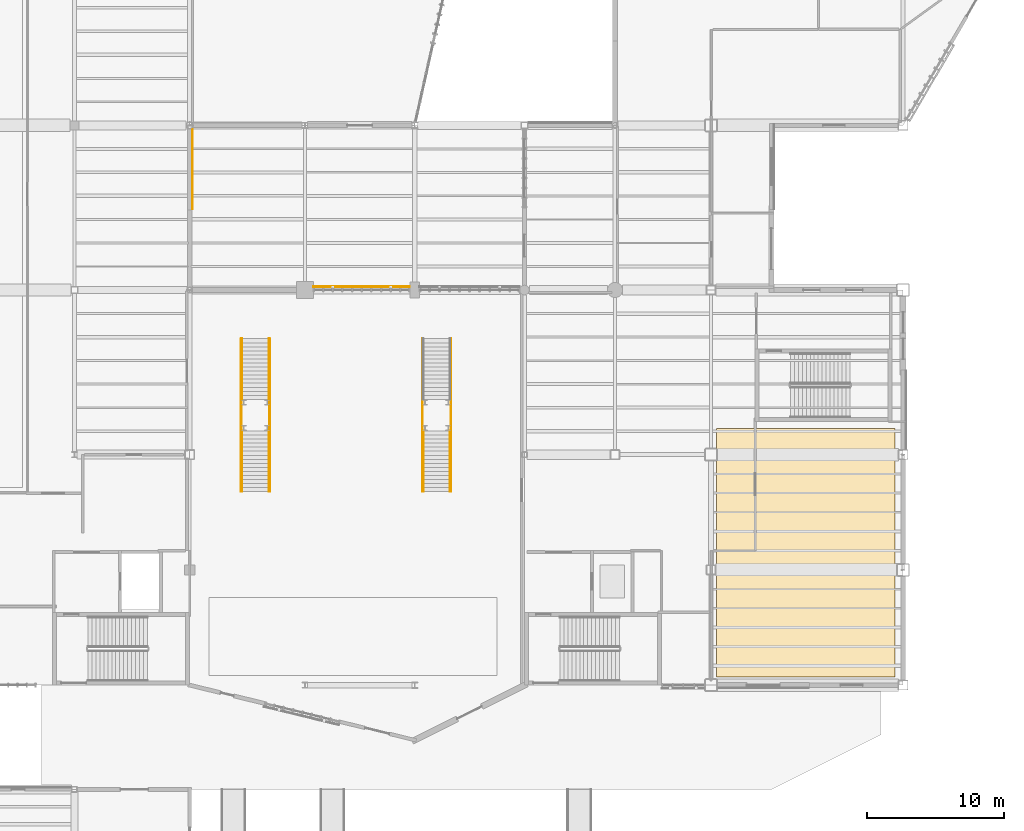
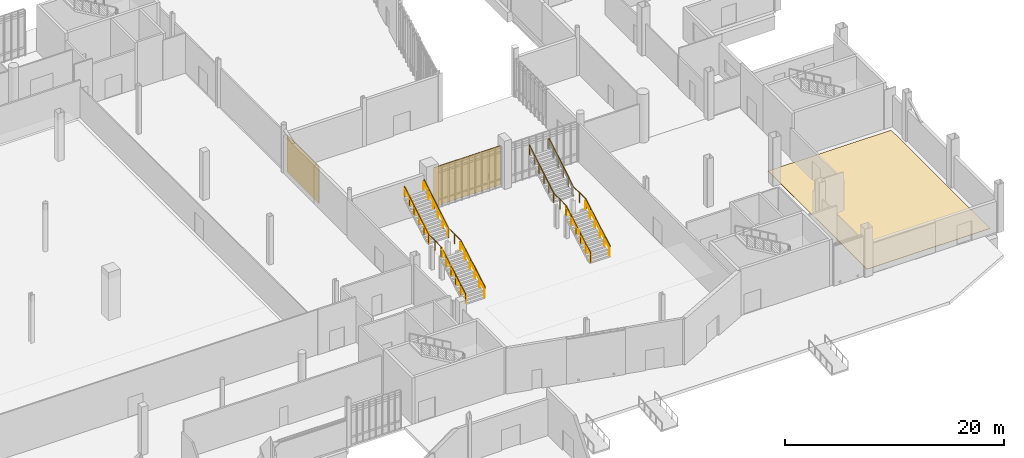
# One storey, part 103 of 111: 10 railings, 2 coverings, 1 shading device.
"""IFC4 building model written with IfcOpenShell, lengths in metres."""

from ifc_helpers import new_model, si_unit, direction, frame, origin, origin_2d, place, context, subcontext, project, spatial, polyline, rectangle, circle, outline, extrude, material, layer, layer_set, type_object, element, save


model = new_model("IFC4")

# Units and contexts
model_context = context("Model", 3, precision=1e-05, world=origin(), true_north=direction((0.0, 1.0)))
body_context = subcontext(model_context, "Body", "Model", "MODEL_VIEW")
ifc_project = project(units=[si_unit("LENGTHUNIT", "METRE"), si_unit("AREAUNIT", "SQUARE_METRE"), si_unit("VOLUMEUNIT", "CUBIC_METRE"), si_unit("PLANEANGLEUNIT", "RADIAN"), si_unit("MASSUNIT", "GRAM", prefix="KILO")], contexts=[model_context])

# Site, building, storey
site_placement = place(None, origin())
site = spatial("IfcSite", under=ifc_project, at=site_placement, CompositionType="ELEMENT")
building_placement = place(site_placement, origin())
building = spatial("IfcBuilding", under=site, at=building_placement, Name="Larkvane Passage Sports Hall", CompositionType="ELEMENT")
storey_placement = place(building_placement, origin())
storey = spatial("IfcBuildingStorey", under=building, at=storey_placement, Name="L00", CompositionType="ELEMENT", Elevation=0.0)

# Coverings
ifc_material_1 = material(Name="Sprung maple sports floor")
ifc_layer_1 = layer(ifc_material_1, 0.0400390625)
ifc_layer_set_1 = layer_set([ifc_layer_1], Name="Sprung maple sports floor")
covering_type_1 = type_object("IfcCoveringType", Name="COV-FLR-MAPLE", PredefinedType="FLOORING", material=ifc_layer_set_1)
covering_1_placement = place(storey_placement, origin())
element("IfcCovering", 1, at=covering_1_placement, inside=storey, type_object=covering_type_1, Name="Southeast community practice court floor", PredefinedType="FLOORING", context=body_context, shape_type="SweptSolid", body=[
    extrude(outline(polyline([(132.0, 23.39990234375), (145.0, 23.39990234375), (145.0, 41.5), (132.0, 41.5), (132.0, 23.39990234375)])), origin(), (0.0, 0.0, 1.0), 0.0400390625),
])
ifc_material_2 = material(Name="Perforated anodised aluminium 5052-H32", Category="aluminium")
ifc_layer_2 = layer(ifc_material_2, 0.050048828125)
ifc_layer_set_2 = layer_set([ifc_layer_2], Name="Perforated anodised aluminium 5052-H32")
covering_type_2 = type_object("IfcCoveringType", Name="COV-MESH-VEIL", PredefinedType="CLADDING", material=ifc_layer_set_2)
covering_2_placement = place(storey_placement, frame((93.797607421875, 60.39208984375, 0.074951171875), z_axis=(0.0, 0.0, 1.0), x_axis=(0.0, -1.0, 0.0)))
element("IfcCovering", 2, at=covering_2_placement, inside=storey, type_object=covering_type_2, Name="Perforated cladding cassette L00-028", PredefinedType="CLADDING", context=body_context, shape_type="SweptSolid", body=[
    extrude(rectangle(XDim=5.815673828125, YDim=0.050048828125, at=origin_2d()), origin(), (0.0, 0.0, 1.0), 4.1259765625),
])

# Railings
ifc_material_3 = material(Name="Steel S355JR", Category="steel")
railing_type_1 = type_object("IfcRailingType", Name="RL-GUARD-1120", PredefinedType="GUARDRAIL", material=ifc_material_3)
railing_1_placement = place(storey_placement, frame((97.360107421875, 36.89990234375, 0.168701171875)))
element("IfcRailing", 3, at=railing_1_placement, inside=storey, type_object=railing_type_1, Name="Feature stair balustrade ST-F1-W", PredefinedType="GUARDRAIL", context=body_context, shape_type="SweptSolid", body=[
    extrude(circle(Radius=0.02392578125, at=origin_2d()), frame((0.0, 0.001708984375, 1.09716796875), z_axis=(0.0, 0.868019072493, 0.49653085482), x_axis=(-1.0, 0.0, 0.0)), (0.0, 0.0, 1.0), 5.09375),
    extrude(circle(Radius=0.02392578125, at=origin_2d()), frame((0.0, 4.427001953125, 3.62744140625), z_axis=(0.0, 1.0, 0.0), x_axis=(-1.0, 0.0, 0.0)), (0.0, 0.0, 1.0), 2.296142578125),
    extrude(circle(Radius=0.02392578125, at=origin_2d()), frame((0.0, 6.726806640625, 3.62841796875), z_axis=(0.0, 0.853646024003, 0.520853593349), x_axis=(-1.0, 0.0, 0.0)), (0.0, 0.0, 1.0), 5.1796875),
    extrude(circle(Radius=0.02099609375, at=origin_2d()), origin(), (0.0, 0.0, 1.0), 1.072021484375),
    extrude(circle(Radius=0.02099609375, at=origin_2d()), frame((0.0, 0.885009765625, 0.50634765625)), (0.0, 0.0, 1.0), 1.072021484375),
    extrude(circle(Radius=0.02099609375, at=origin_2d()), frame((0.0, 1.77001953125, 1.012451171875)), (0.0, 0.0, 1.0), 1.072021484375),
    extrude(circle(Radius=0.02099609375, at=origin_2d()), frame((0.0, 2.655029296875, 1.518798828125)), (0.0, 0.0, 1.0), 1.072021484375),
    extrude(circle(Radius=0.02099609375, at=origin_2d()), frame((0.0, 3.5400390625, 2.02490234375)), (0.0, 0.0, 1.0), 1.072021484375),
    extrude(circle(Radius=0.02099609375, at=origin_2d()), frame((0.0, 4.425048828125, 2.53125)), (0.0, 0.0, 1.0), 1.072021484375),
    extrude(circle(Radius=0.02099609375, at=origin_2d()), frame((0.0, 5.5751953125, 2.53125)), (0.0, 0.0, 1.0), 1.072021484375),
    extrude(circle(Radius=0.02099609375, at=origin_2d()), frame((0.0, 6.72509765625, 2.53125)), (0.0, 0.0, 1.0), 1.072021484375),
    extrude(circle(Radius=0.02099609375, at=origin_2d()), frame((0.0, 7.610107421875, 3.0712890625)), (0.0, 0.0, 1.0), 1.072021484375),
    extrude(circle(Radius=0.02099609375, at=origin_2d()), frame((0.0, 8.4951171875, 3.611328125)), (0.0, 0.0, 1.0), 1.072021484375),
    extrude(circle(Radius=0.02099609375, at=origin_2d()), frame((0.0, 9.380126953125, 4.151123046875)), (0.0, 0.0, 1.0), 1.072021484375),
    extrude(circle(Radius=0.02099609375, at=origin_2d()), frame((0.0, 10.26513671875, 4.691162109375)), (0.0, 0.0, 1.0), 1.072021484375),
    extrude(circle(Radius=0.02099609375, at=origin_2d()), frame((0.0, 11.150146484375, 5.231201171875)), (0.0, 0.0, 1.0), 1.072021484375),
])
railing_2_placement = place(storey_placement, frame((99.43994140625, 36.89990234375, 0.168701171875)))
element("IfcRailing", 4, at=railing_2_placement, inside=storey, type_object=railing_type_1, Name="Feature stair balustrade ST-F1-E", PredefinedType="GUARDRAIL", context=body_context, shape_type="SweptSolid", body=[
    extrude(circle(Radius=0.02392578125, at=origin_2d()), frame((0.0, 0.001708984375, 1.09716796875), z_axis=(0.0, 0.868019072493, 0.49653085482), x_axis=(-1.0, 0.0, 0.0)), (0.0, 0.0, 1.0), 5.09375),
    extrude(circle(Radius=0.02392578125, at=origin_2d()), frame((0.0, 4.427001953125, 3.62744140625), z_axis=(0.0, 1.0, 0.0), x_axis=(-1.0, 0.0, 0.0)), (0.0, 0.0, 1.0), 2.296142578125),
    extrude(circle(Radius=0.02392578125, at=origin_2d()), frame((0.0, 6.726806640625, 3.62841796875), z_axis=(0.0, 0.853646024003, 0.520853593349), x_axis=(-1.0, 0.0, 0.0)), (0.0, 0.0, 1.0), 5.1796875),
    extrude(circle(Radius=0.02099609375, at=origin_2d()), origin(), (0.0, 0.0, 1.0), 1.072021484375),
    extrude(circle(Radius=0.02099609375, at=origin_2d()), frame((0.0, 0.885009765625, 0.50634765625)), (0.0, 0.0, 1.0), 1.072021484375),
    extrude(circle(Radius=0.02099609375, at=origin_2d()), frame((0.0, 1.77001953125, 1.012451171875)), (0.0, 0.0, 1.0), 1.072021484375),
    extrude(circle(Radius=0.02099609375, at=origin_2d()), frame((0.0, 2.655029296875, 1.518798828125)), (0.0, 0.0, 1.0), 1.072021484375),
    extrude(circle(Radius=0.02099609375, at=origin_2d()), frame((0.0, 3.5400390625, 2.02490234375)), (0.0, 0.0, 1.0), 1.072021484375),
    extrude(circle(Radius=0.02099609375, at=origin_2d()), frame((0.0, 4.425048828125, 2.53125)), (0.0, 0.0, 1.0), 1.072021484375),
    extrude(circle(Radius=0.02099609375, at=origin_2d()), frame((0.0, 5.5751953125, 2.53125)), (0.0, 0.0, 1.0), 1.072021484375),
    extrude(circle(Radius=0.02099609375, at=origin_2d()), frame((0.0, 6.72509765625, 2.53125)), (0.0, 0.0, 1.0), 1.072021484375),
    extrude(circle(Radius=0.02099609375, at=origin_2d()), frame((0.0, 7.610107421875, 3.0712890625)), (0.0, 0.0, 1.0), 1.072021484375),
    extrude(circle(Radius=0.02099609375, at=origin_2d()), frame((0.0, 8.4951171875, 3.611328125)), (0.0, 0.0, 1.0), 1.072021484375),
    extrude(circle(Radius=0.02099609375, at=origin_2d()), frame((0.0, 9.380126953125, 4.151123046875)), (0.0, 0.0, 1.0), 1.072021484375),
    extrude(circle(Radius=0.02099609375, at=origin_2d()), frame((0.0, 10.26513671875, 4.691162109375)), (0.0, 0.0, 1.0), 1.072021484375),
    extrude(circle(Radius=0.02099609375, at=origin_2d()), frame((0.0, 11.150146484375, 5.231201171875)), (0.0, 0.0, 1.0), 1.072021484375),
])
railing_3_placement = place(storey_placement, frame((110.56005859375, 36.89990234375, 0.168701171875)))
element("IfcRailing", 5, at=railing_3_placement, inside=storey, type_object=railing_type_1, Name="Feature stair balustrade ST-F2-W", PredefinedType="GUARDRAIL", context=body_context, shape_type="SweptSolid", body=[
    extrude(circle(Radius=0.02392578125, at=origin_2d()), frame((0.0, 0.001708984375, 1.09716796875), z_axis=(0.0, 0.868019072493, 0.49653085482), x_axis=(-1.0, 0.0, 0.0)), (0.0, 0.0, 1.0), 5.09375),
    extrude(circle(Radius=0.02392578125, at=origin_2d()), frame((0.0, 4.427001953125, 3.62744140625), z_axis=(0.0, 1.0, 0.0), x_axis=(-1.0, 0.0, 0.0)), (0.0, 0.0, 1.0), 2.296142578125),
    extrude(circle(Radius=0.02392578125, at=origin_2d()), frame((0.0, 6.726806640625, 3.62841796875), z_axis=(0.0, 0.853646024003, 0.520853593349), x_axis=(-1.0, 0.0, 0.0)), (0.0, 0.0, 1.0), 5.1796875),
    extrude(circle(Radius=0.02099609375, at=origin_2d()), origin(), (0.0, 0.0, 1.0), 1.072021484375),
    extrude(circle(Radius=0.02099609375, at=origin_2d()), frame((0.0, 0.885009765625, 0.50634765625)), (0.0, 0.0, 1.0), 1.072021484375),
    extrude(circle(Radius=0.02099609375, at=origin_2d()), frame((0.0, 1.77001953125, 1.012451171875)), (0.0, 0.0, 1.0), 1.072021484375),
    extrude(circle(Radius=0.02099609375, at=origin_2d()), frame((0.0, 2.655029296875, 1.518798828125)), (0.0, 0.0, 1.0), 1.072021484375),
    extrude(circle(Radius=0.02099609375, at=origin_2d()), frame((0.0, 3.5400390625, 2.02490234375)), (0.0, 0.0, 1.0), 1.072021484375),
    extrude(circle(Radius=0.02099609375, at=origin_2d()), frame((0.0, 4.425048828125, 2.53125)), (0.0, 0.0, 1.0), 1.072021484375),
    extrude(circle(Radius=0.02099609375, at=origin_2d()), frame((0.0, 5.5751953125, 2.53125)), (0.0, 0.0, 1.0), 1.072021484375),
    extrude(circle(Radius=0.02099609375, at=origin_2d()), frame((0.0, 6.72509765625, 2.53125)), (0.0, 0.0, 1.0), 1.072021484375),
    extrude(circle(Radius=0.02099609375, at=origin_2d()), frame((0.0, 7.610107421875, 3.0712890625)), (0.0, 0.0, 1.0), 1.072021484375),
    extrude(circle(Radius=0.02099609375, at=origin_2d()), frame((0.0, 8.4951171875, 3.611328125)), (0.0, 0.0, 1.0), 1.072021484375),
    extrude(circle(Radius=0.02099609375, at=origin_2d()), frame((0.0, 9.380126953125, 4.151123046875)), (0.0, 0.0, 1.0), 1.072021484375),
    extrude(circle(Radius=0.02099609375, at=origin_2d()), frame((0.0, 10.26513671875, 4.691162109375)), (0.0, 0.0, 1.0), 1.072021484375),
    extrude(circle(Radius=0.02099609375, at=origin_2d()), frame((0.0, 11.150146484375, 5.231201171875)), (0.0, 0.0, 1.0), 1.072021484375),
])
railing_4_placement = place(storey_placement, frame((112.639892578125, 36.89990234375, 0.168701171875)))
element("IfcRailing", 6, at=railing_4_placement, inside=storey, type_object=railing_type_1, Name="Feature stair balustrade ST-F2-E", PredefinedType="GUARDRAIL", context=body_context, shape_type="SweptSolid", body=[
    extrude(circle(Radius=0.02392578125, at=origin_2d()), frame((0.0, 0.001708984375, 1.09716796875), z_axis=(0.0, 0.868019072493, 0.49653085482), x_axis=(-1.0, 0.0, 0.0)), (0.0, 0.0, 1.0), 5.09375),
    extrude(circle(Radius=0.02392578125, at=origin_2d()), frame((0.0, 4.427001953125, 3.62744140625), z_axis=(0.0, 1.0, 0.0), x_axis=(-1.0, 0.0, 0.0)), (0.0, 0.0, 1.0), 2.296142578125),
    extrude(circle(Radius=0.02392578125, at=origin_2d()), frame((0.0, 6.726806640625, 3.62841796875), z_axis=(0.0, 0.853646024003, 0.520853593349), x_axis=(-1.0, 0.0, 0.0)), (0.0, 0.0, 1.0), 5.1796875),
    extrude(circle(Radius=0.02099609375, at=origin_2d()), origin(), (0.0, 0.0, 1.0), 1.072021484375),
    extrude(circle(Radius=0.02099609375, at=origin_2d()), frame((0.0, 0.885009765625, 0.50634765625)), (0.0, 0.0, 1.0), 1.072021484375),
    extrude(circle(Radius=0.02099609375, at=origin_2d()), frame((0.0, 1.77001953125, 1.012451171875)), (0.0, 0.0, 1.0), 1.072021484375),
    extrude(circle(Radius=0.02099609375, at=origin_2d()), frame((0.0, 2.655029296875, 1.518798828125)), (0.0, 0.0, 1.0), 1.072021484375),
    extrude(circle(Radius=0.02099609375, at=origin_2d()), frame((0.0, 3.5400390625, 2.02490234375)), (0.0, 0.0, 1.0), 1.072021484375),
    extrude(circle(Radius=0.02099609375, at=origin_2d()), frame((0.0, 4.425048828125, 2.53125)), (0.0, 0.0, 1.0), 1.072021484375),
    extrude(circle(Radius=0.02099609375, at=origin_2d()), frame((0.0, 5.5751953125, 2.53125)), (0.0, 0.0, 1.0), 1.072021484375),
    extrude(circle(Radius=0.02099609375, at=origin_2d()), frame((0.0, 6.72509765625, 2.53125)), (0.0, 0.0, 1.0), 1.072021484375),
    extrude(circle(Radius=0.02099609375, at=origin_2d()), frame((0.0, 7.610107421875, 3.0712890625)), (0.0, 0.0, 1.0), 1.072021484375),
    extrude(circle(Radius=0.02099609375, at=origin_2d()), frame((0.0, 8.4951171875, 3.611328125)), (0.0, 0.0, 1.0), 1.072021484375),
    extrude(circle(Radius=0.02099609375, at=origin_2d()), frame((0.0, 9.380126953125, 4.151123046875)), (0.0, 0.0, 1.0), 1.072021484375),
    extrude(circle(Radius=0.02099609375, at=origin_2d()), frame((0.0, 10.26513671875, 4.691162109375)), (0.0, 0.0, 1.0), 1.072021484375),
    extrude(circle(Radius=0.02099609375, at=origin_2d()), frame((0.0, 11.150146484375, 5.231201171875)), (0.0, 0.0, 1.0), 1.072021484375),
])
ifc_material_4 = material(Name="Stainless steel S355JR", Category="steel")
railing_type_2 = type_object("IfcRailingType", Name="RL-HAND-920", PredefinedType="HANDRAIL", material=ifc_material_4)
for number, where, name in (
    (7, (97.419921875, 36.89990234375, 0.168701171875), "Feature stair lower handrail ST-F1-W"),
    (8, (97.419921875, 43.625, 2.86865234375), "Feature stair upper handrail ST-F1-W"),
    (9, (99.3798828125, 36.89990234375, 0.168701171875), "Feature stair lower handrail ST-F1-E"),
    (10, (99.3798828125, 43.625, 2.86865234375), "Feature stair upper handrail ST-F1-E"),
    (11, (110.6201171875, 36.89990234375, 0.168701171875), "Feature stair lower handrail ST-F2-W"),
    (12, (112.580078125, 36.89990234375, 0.168701171875), "Feature stair lower handrail ST-F2-E"),
):
    element("IfcRailing", number, at=place(storey_placement, frame(where)), inside=storey, type_object=railing_type_2, Name=name, PredefinedType="HANDRAIL", context=body_context, shape_type="SweptSolid", body=[
        extrude(circle(Radius=0.02392578125, at=origin_2d()), frame((0.0, 0.001708984375, 0.876953125), z_axis=(0.0, 0.868019072493, 0.49653085482), x_axis=(-1.0, 0.0, 0.0)), (0.0, 0.0, 1.0), 5.09375),
        extrude(circle(Radius=0.02099609375, at=origin_2d()), origin(), (0.0, 0.0, 1.0), 0.851806640625),
        extrude(circle(Radius=0.02099609375, at=origin_2d()), frame((0.0, 0.885009765625, 0.50634765625)), (0.0, 0.0, 1.0), 0.851806640625),
        extrude(circle(Radius=0.02099609375, at=origin_2d()), frame((0.0, 1.77001953125, 1.012451171875)), (0.0, 0.0, 1.0), 0.851806640625),
        extrude(circle(Radius=0.02099609375, at=origin_2d()), frame((0.0, 2.655029296875, 1.518798828125)), (0.0, 0.0, 1.0), 0.851806640625),
        extrude(circle(Radius=0.02099609375, at=origin_2d()), frame((0.0, 3.5400390625, 2.02490234375)), (0.0, 0.0, 1.0), 0.851806640625),
        extrude(circle(Radius=0.02099609375, at=origin_2d()), frame((0.0, 4.425048828125, 2.53125)), (0.0, 0.0, 1.0), 0.851806640625),
    ])

# Shading device
ifc_layer_3 = layer(ifc_material_2, 0.06005859375)
ifc_layer_set_3 = layer_set([ifc_layer_3], Name="Perforated anodised aluminium 5052-H32")
shading_device_type = type_object("IfcShadingDeviceType", Name="SHD-VEIL-PERF", PredefinedType="SHUTTER", material=ifc_layer_set_3)
shading_device_placement = place(storey_placement, frame((106.137451171875, 51.840087890625, 0.06005859375), z_axis=(0.0, 0.0, 1.0), x_axis=(1.0, 0.0, 0.0)))
element("IfcShadingDevice", 13, at=shading_device_placement, inside=storey, type_object=shading_device_type, Name="Solar veil screen L00-010", PredefinedType="SHUTTER", context=body_context, shape_type="SweptSolid", body=[
    extrude(rectangle(XDim=7.032958984375, YDim=0.06005859375, at=origin_2d()), origin(), (0.0, 0.0, 1.0), 4.360107421875),
])

save(model, "model.ifc")
